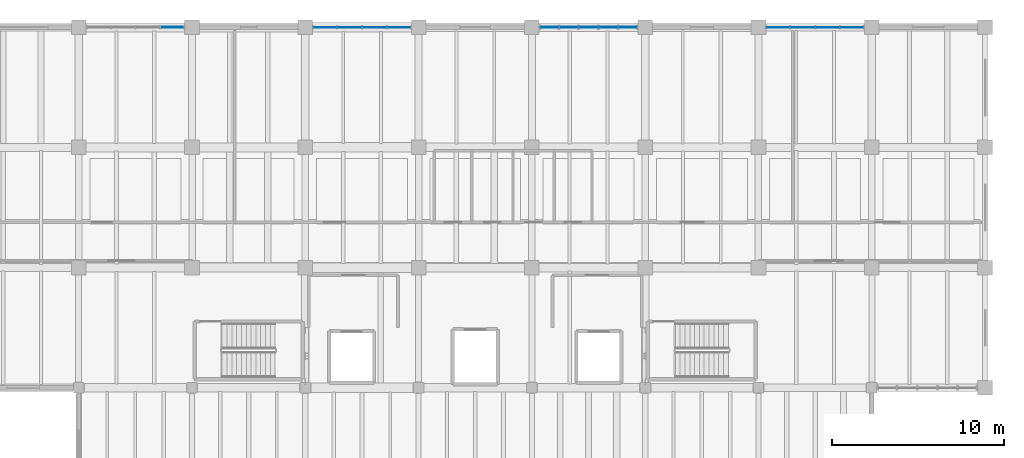
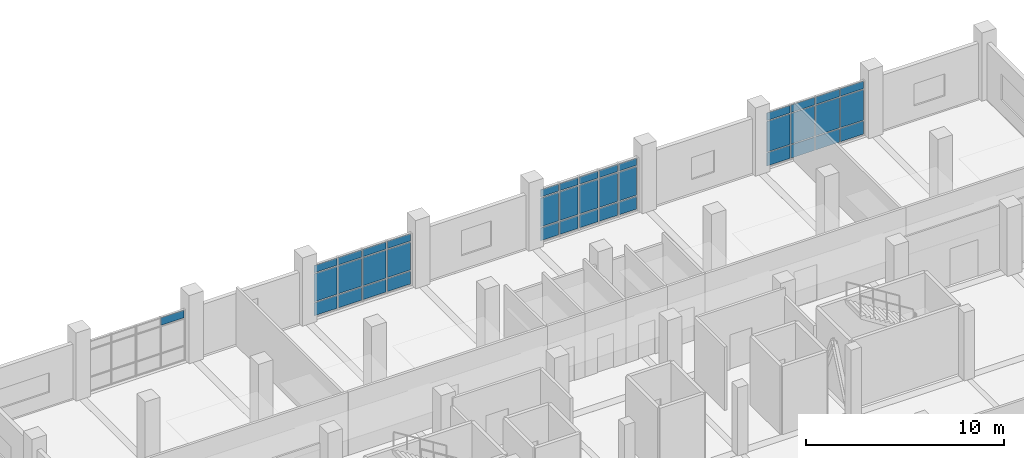
# One storey, part 40 of 68: 40 plates, 4 elements without a shape of their own.
"""IFC4 building model written with IfcOpenShell, lengths in metres."""

from ifc_helpers import new_model, si_unit, direction, frame, origin, origin_2d, place, context, subcontext, project, spatial, rectangle, extrude, material, layer, layer_set, type_object, element, aggregate, save


model = new_model("IFC4")

# Units and contexts
model_context = context("Model", 3, precision=1e-05, world=origin(), true_north=direction((0.0, 1.0)))
body_context = subcontext(model_context, "Body", "Model", "MODEL_VIEW")
ifc_project = project(units=[si_unit("LENGTHUNIT", "METRE"), si_unit("AREAUNIT", "SQUARE_METRE"), si_unit("VOLUMEUNIT", "CUBIC_METRE"), si_unit("PLANEANGLEUNIT", "RADIAN"), si_unit("MASSUNIT", "GRAM", prefix="KILO")], contexts=[model_context])

# Site, building, storey
site_placement = place(None, origin())
site = spatial("IfcSite", under=ifc_project, at=site_placement, CompositionType="ELEMENT")
building_placement = place(site_placement, origin())
building = spatial("IfcBuilding", under=site, at=building_placement, Name="Ciguamira Faculty of Natural Sciences", CompositionType="ELEMENT")
storey_placement = place(building_placement, frame((0.0, 0.0, 4.199951171875)))
storey = spatial("IfcBuildingStorey", under=building, at=storey_placement, Name="L01", CompositionType="ELEMENT", Elevation=4.199951171875)

# Curtain wall, plates
ifc_material_1 = material(Name="Anodized aluminium curtain wall", Category="aluminium")
curtain_wall_type_1 = type_object("IfcCurtainWallType", Name="CurtainWall_CW-11", PredefinedType="USERDEFINED", material=ifc_material_1)
curtain_wall_1_placement = place(storey_placement, origin())
curtain_wall_1 = element("IfcCurtainWall", 1, at=curtain_wall_1_placement, inside=storey, type_object=curtain_wall_type_1, Name="L01 unitised curtain wall 0047", ObjectType="UNITISED CURTAIN WALL", PredefinedType="USERDEFINED")
ifc_material_2 = material(Name="Low-E laminated solar glass", Category="glass")
ifc_layer_1 = layer(ifc_material_2, 0.028076171875, Name="Low-E laminated solar glass")
ifc_layer_set_1 = layer_set([ifc_layer_1], Name="Low-E laminated solar glass")
plate_type_1 = type_object("IfcPlateType", Name="CWPanel_CWP-01", PredefinedType="CURTAIN_PANEL", material=ifc_layer_set_1)
plate_1_placement = place(storey_placement, frame((78.26123046875, 115.0, 0.070068359375), z_axis=(0.0, 0.0, 1.0), x_axis=(1.0, 0.0, 0.0)))
plate_1 = element("IfcPlate", 2, at=plate_1_placement, type_object=plate_type_1, Name="CW-11 panel 1.1", PredefinedType="CURTAIN_PANEL", context=body_context, shape_type="SweptSolid", body=[
    extrude(rectangle(XDim=1.33251953125, YDim=0.028076171875, at=origin_2d()), origin(), (0.0, 0.0, 1.0), 0.794921875),
])
plate_2_placement = place(storey_placement, frame((78.26123046875, 115.0, 0.93505859375), z_axis=(0.0, 0.0, 1.0), x_axis=(1.0, 0.0, 0.0)))
plate_2 = element("IfcPlate", 3, at=plate_2_placement, type_object=plate_type_1, Name="CW-11 panel 1.2", PredefinedType="CURTAIN_PANEL", context=body_context, shape_type="SweptSolid", body=[
    extrude(rectangle(XDim=1.33251953125, YDim=0.028076171875, at=origin_2d()), origin(), (0.0, 0.0, 1.0), 1.715087890625),
])
plate_3_placement = place(storey_placement, frame((78.26123046875, 115.0, 2.72021484375), z_axis=(0.0, 0.0, 1.0), x_axis=(1.0, 0.0, 0.0)))
plate_3 = element("IfcPlate", 4, at=plate_3_placement, type_object=plate_type_1, Name="CW-11 panel 1.3", PredefinedType="CURTAIN_PANEL", context=body_context, shape_type="SweptSolid", body=[
    extrude(rectangle(XDim=1.33251953125, YDim=0.028076171875, at=origin_2d()), origin(), (0.0, 0.0, 1.0), 0.445068359375),
])
plate_4_placement = place(storey_placement, frame((79.68115234375, 115.0, 0.070068359375), z_axis=(0.0, 0.0, 1.0), x_axis=(1.0, 0.0, 0.0)))
plate_4 = element("IfcPlate", 5, at=plate_4_placement, type_object=plate_type_1, Name="CW-11 panel 2.1", PredefinedType="CURTAIN_PANEL", context=body_context, shape_type="SweptSolid", body=[
    extrude(rectangle(XDim=1.367431640625, YDim=0.028076171875, at=origin_2d()), origin(), (0.0, 0.0, 1.0), 0.794921875),
])
plate_5_placement = place(storey_placement, frame((79.68115234375, 115.0, 0.93505859375), z_axis=(0.0, 0.0, 1.0), x_axis=(1.0, 0.0, 0.0)))
plate_5 = element("IfcPlate", 6, at=plate_5_placement, type_object=plate_type_1, Name="CW-11 panel 2.2", PredefinedType="CURTAIN_PANEL", context=body_context, shape_type="SweptSolid", body=[
    extrude(rectangle(XDim=1.367431640625, YDim=0.028076171875, at=origin_2d()), origin(), (0.0, 0.0, 1.0), 1.715087890625),
])
plate_6_placement = place(storey_placement, frame((79.68115234375, 115.0, 2.72021484375), z_axis=(0.0, 0.0, 1.0), x_axis=(1.0, 0.0, 0.0)))
plate_6 = element("IfcPlate", 7, at=plate_6_placement, type_object=plate_type_1, Name="CW-11 panel 2.3", PredefinedType="CURTAIN_PANEL", context=body_context, shape_type="SweptSolid", body=[
    extrude(rectangle(XDim=1.367431640625, YDim=0.028076171875, at=origin_2d()), origin(), (0.0, 0.0, 1.0), 0.445068359375),
])
plate_7_placement = place(storey_placement, frame((81.11865234375, 115.0, 0.070068359375), z_axis=(0.0, 0.0, 1.0), x_axis=(1.0, 0.0, 0.0)))
plate_7 = element("IfcPlate", 8, at=plate_7_placement, type_object=plate_type_1, Name="CW-11 panel 3.1", PredefinedType="CURTAIN_PANEL", context=body_context, shape_type="SweptSolid", body=[
    extrude(rectangle(XDim=1.367431640625, YDim=0.028076171875, at=origin_2d()), origin(), (0.0, 0.0, 1.0), 0.794921875),
])
plate_8_placement = place(storey_placement, frame((81.11865234375, 115.0, 0.93505859375), z_axis=(0.0, 0.0, 1.0), x_axis=(1.0, 0.0, 0.0)))
plate_8 = element("IfcPlate", 9, at=plate_8_placement, type_object=plate_type_1, Name="CW-11 panel 3.2", PredefinedType="CURTAIN_PANEL", context=body_context, shape_type="SweptSolid", body=[
    extrude(rectangle(XDim=1.367431640625, YDim=0.028076171875, at=origin_2d()), origin(), (0.0, 0.0, 1.0), 1.715087890625),
])
plate_9_placement = place(storey_placement, frame((81.11865234375, 115.0, 2.72021484375), z_axis=(0.0, 0.0, 1.0), x_axis=(1.0, 0.0, 0.0)))
plate_9 = element("IfcPlate", 10, at=plate_9_placement, type_object=plate_type_1, Name="CW-11 panel 3.3", PredefinedType="CURTAIN_PANEL", context=body_context, shape_type="SweptSolid", body=[
    extrude(rectangle(XDim=1.367431640625, YDim=0.028076171875, at=origin_2d()), origin(), (0.0, 0.0, 1.0), 0.445068359375),
])
plate_10_placement = place(storey_placement, frame((82.538818359375, 115.0, 0.070068359375), z_axis=(0.0, 0.0, 1.0), x_axis=(1.0, 0.0, 0.0)))
plate_10 = element("IfcPlate", 11, at=plate_10_placement, type_object=plate_type_1, Name="CW-11 panel 4.1", PredefinedType="CURTAIN_PANEL", context=body_context, shape_type="SweptSolid", body=[
    extrude(rectangle(XDim=1.33251953125, YDim=0.028076171875, at=origin_2d()), origin(), (0.0, 0.0, 1.0), 0.794921875),
])
plate_11_placement = place(storey_placement, frame((82.538818359375, 115.0, 0.93505859375), z_axis=(0.0, 0.0, 1.0), x_axis=(1.0, 0.0, 0.0)))
plate_11 = element("IfcPlate", 12, at=plate_11_placement, type_object=plate_type_1, Name="CW-11 panel 4.2", PredefinedType="CURTAIN_PANEL", context=body_context, shape_type="SweptSolid", body=[
    extrude(rectangle(XDim=1.33251953125, YDim=0.028076171875, at=origin_2d()), origin(), (0.0, 0.0, 1.0), 1.715087890625),
])
plate_12_placement = place(storey_placement, frame((82.538818359375, 115.0, 2.72021484375), z_axis=(0.0, 0.0, 1.0), x_axis=(1.0, 0.0, 0.0)))
plate_12 = element("IfcPlate", 13, at=plate_12_placement, type_object=plate_type_1, Name="CW-11 panel 4.3", PredefinedType="CURTAIN_PANEL", context=body_context, shape_type="SweptSolid", body=[
    extrude(rectangle(XDim=1.33251953125, YDim=0.028076171875, at=origin_2d()), origin(), (0.0, 0.0, 1.0), 0.445068359375),
])
aggregate(curtain_wall_1, [plate_1, plate_2, plate_3, plate_4, plate_5, plate_6, plate_7, plate_8, plate_9, plate_10, plate_11, plate_12])

curtain_wall_type_2 = type_object("IfcCurtainWallType", Name="CurtainWall_CW-01", PredefinedType="USERDEFINED", material=ifc_material_1)
curtain_wall_2_placement = place(storey_placement, origin())
curtain_wall_2 = element("IfcCurtainWall", 14, at=curtain_wall_2_placement, inside=storey, type_object=curtain_wall_type_2, Name="L01 unitised curtain wall 0049", ObjectType="UNITISED CURTAIN WALL", PredefinedType="USERDEFINED")
plate_13_placement = place(storey_placement, frame((104.65869140625, 115.0, 0.06005859375), z_axis=(0.0, 0.0, 1.0), x_axis=(1.0, 0.0, 0.0)))
plate_13 = element("IfcPlate", 15, at=plate_13_placement, type_object=plate_type_1, Name="CW-01 panel 1.1", PredefinedType="CURTAIN_PANEL", context=body_context, shape_type="SweptSolid", body=[
    extrude(rectangle(XDim=1.347412109375, YDim=0.028076171875, at=origin_2d()), origin(), (0.0, 0.0, 1.0), 0.81005859375),
])
plate_14_placement = place(storey_placement, frame((104.65869140625, 115.0, 0.929931640625), z_axis=(0.0, 0.0, 1.0), x_axis=(1.0, 0.0, 0.0)))
plate_14 = element("IfcPlate", 16, at=plate_14_placement, type_object=plate_type_1, Name="CW-01 panel 1.2", PredefinedType="CURTAIN_PANEL", context=body_context, shape_type="SweptSolid", body=[
    extrude(rectangle(XDim=1.347412109375, YDim=0.028076171875, at=origin_2d()), origin(), (0.0, 0.0, 1.0), 1.875),
])
plate_15_placement = place(storey_placement, frame((104.65869140625, 115.0, 2.864990234375), z_axis=(0.0, 0.0, 1.0), x_axis=(1.0, 0.0, 0.0)))
plate_15 = element("IfcPlate", 17, at=plate_15_placement, type_object=plate_type_1, Name="CW-01 panel 1.3", PredefinedType="CURTAIN_PANEL", context=body_context, shape_type="SweptSolid", body=[
    extrude(rectangle(XDim=1.347412109375, YDim=0.028076171875, at=origin_2d()), origin(), (0.0, 0.0, 1.0), 0.4599609375),
])
plate_16_placement = place(storey_placement, frame((106.081298828125, 115.0, 0.06005859375), z_axis=(0.0, 0.0, 1.0), x_axis=(1.0, 0.0, 0.0)))
plate_16 = element("IfcPlate", 18, at=plate_16_placement, type_object=plate_type_1, Name="CW-01 panel 2.1", PredefinedType="CURTAIN_PANEL", context=body_context, shape_type="SweptSolid", body=[
    extrude(rectangle(XDim=1.37744140625, YDim=0.028076171875, at=origin_2d()), origin(), (0.0, 0.0, 1.0), 0.81005859375),
])
plate_17_placement = place(storey_placement, frame((106.081298828125, 115.0, 0.929931640625), z_axis=(0.0, 0.0, 1.0), x_axis=(1.0, 0.0, 0.0)))
plate_17 = element("IfcPlate", 19, at=plate_17_placement, type_object=plate_type_1, Name="CW-01 panel 2.2", PredefinedType="CURTAIN_PANEL", context=body_context, shape_type="SweptSolid", body=[
    extrude(rectangle(XDim=1.37744140625, YDim=0.028076171875, at=origin_2d()), origin(), (0.0, 0.0, 1.0), 1.875),
])
plate_18_placement = place(storey_placement, frame((106.081298828125, 115.0, 2.864990234375), z_axis=(0.0, 0.0, 1.0), x_axis=(1.0, 0.0, 0.0)))
plate_18 = element("IfcPlate", 20, at=plate_18_placement, type_object=plate_type_1, Name="CW-01 panel 2.3", PredefinedType="CURTAIN_PANEL", context=body_context, shape_type="SweptSolid", body=[
    extrude(rectangle(XDim=1.37744140625, YDim=0.028076171875, at=origin_2d()), origin(), (0.0, 0.0, 1.0), 0.4599609375),
])
plate_19_placement = place(storey_placement, frame((107.518798828125, 115.0, 0.06005859375), z_axis=(0.0, 0.0, 1.0), x_axis=(1.0, 0.0, 0.0)))
plate_19 = element("IfcPlate", 21, at=plate_19_placement, type_object=plate_type_1, Name="CW-01 panel 3.1", PredefinedType="CURTAIN_PANEL", context=body_context, shape_type="SweptSolid", body=[
    extrude(rectangle(XDim=1.37744140625, YDim=0.028076171875, at=origin_2d()), origin(), (0.0, 0.0, 1.0), 0.81005859375),
])
plate_20_placement = place(storey_placement, frame((107.518798828125, 115.0, 0.929931640625), z_axis=(0.0, 0.0, 1.0), x_axis=(1.0, 0.0, 0.0)))
plate_20 = element("IfcPlate", 22, at=plate_20_placement, type_object=plate_type_1, Name="CW-01 panel 3.2", PredefinedType="CURTAIN_PANEL", context=body_context, shape_type="SweptSolid", body=[
    extrude(rectangle(XDim=1.37744140625, YDim=0.028076171875, at=origin_2d()), origin(), (0.0, 0.0, 1.0), 1.875),
])
plate_21_placement = place(storey_placement, frame((107.518798828125, 115.0, 2.864990234375), z_axis=(0.0, 0.0, 1.0), x_axis=(1.0, 0.0, 0.0)))
plate_21 = element("IfcPlate", 23, at=plate_21_placement, type_object=plate_type_1, Name="CW-01 panel 3.3", PredefinedType="CURTAIN_PANEL", context=body_context, shape_type="SweptSolid", body=[
    extrude(rectangle(XDim=1.37744140625, YDim=0.028076171875, at=origin_2d()), origin(), (0.0, 0.0, 1.0), 0.4599609375),
])
plate_22_placement = place(storey_placement, frame((108.941162109375, 115.0, 0.06005859375), z_axis=(0.0, 0.0, 1.0), x_axis=(1.0, 0.0, 0.0)))
plate_22 = element("IfcPlate", 24, at=plate_22_placement, type_object=plate_type_1, Name="CW-01 panel 4.1", PredefinedType="CURTAIN_PANEL", context=body_context, shape_type="SweptSolid", body=[
    extrude(rectangle(XDim=1.347412109375, YDim=0.028076171875, at=origin_2d()), origin(), (0.0, 0.0, 1.0), 0.81005859375),
])
plate_23_placement = place(storey_placement, frame((108.941162109375, 115.0, 0.929931640625), z_axis=(0.0, 0.0, 1.0), x_axis=(1.0, 0.0, 0.0)))
plate_23 = element("IfcPlate", 25, at=plate_23_placement, type_object=plate_type_1, Name="CW-01 panel 4.2", PredefinedType="CURTAIN_PANEL", context=body_context, shape_type="SweptSolid", body=[
    extrude(rectangle(XDim=1.347412109375, YDim=0.028076171875, at=origin_2d()), origin(), (0.0, 0.0, 1.0), 1.875),
])
plate_24_placement = place(storey_placement, frame((108.941162109375, 115.0, 2.864990234375), z_axis=(0.0, 0.0, 1.0), x_axis=(1.0, 0.0, 0.0)))
plate_24 = element("IfcPlate", 26, at=plate_24_placement, type_object=plate_type_1, Name="CW-01 panel 4.3", PredefinedType="CURTAIN_PANEL", context=body_context, shape_type="SweptSolid", body=[
    extrude(rectangle(XDim=1.347412109375, YDim=0.028076171875, at=origin_2d()), origin(), (0.0, 0.0, 1.0), 0.4599609375),
])
aggregate(curtain_wall_2, [plate_13, plate_14, plate_15, plate_16, plate_17, plate_18, plate_19, plate_20, plate_21, plate_22, plate_23, plate_24])

# Curtain wall, plate
curtain_wall_type_3 = type_object("IfcCurtainWallType", Name="CurtainWall_CW-10", PredefinedType="USERDEFINED", material=ifc_material_1)
curtain_wall_3_placement = place(storey_placement, origin())
curtain_wall_3 = element("IfcCurtainWall", 27, at=curtain_wall_3_placement, inside=storey, type_object=curtain_wall_type_3, Name="L01 unitised curtain wall 0046", ObjectType="UNITISED CURTAIN WALL", PredefinedType="USERDEFINED")
ifc_layer_2 = layer(ifc_material_2, 0.035888671875, Name="Low-E laminated solar glass")
ifc_layer_set_2 = layer_set([ifc_layer_2], Name="Low-E laminated solar glass")
plate_type_2 = type_object("IfcPlateType", Name="CWPanel_CWP-02", PredefinedType="CURTAIN_PANEL", material=ifc_layer_set_2)
plate_25_placement = place(storey_placement, frame((69.34130859375, 115.0, 2.614990234375), z_axis=(0.0, 0.0, 1.0), x_axis=(1.0, 0.0, 0.0)))
plate_25 = element("IfcPlate", 28, at=plate_25_placement, type_object=plate_type_2, Name="CW-10 panel 4.3", PredefinedType="CURTAIN_PANEL", context=body_context, shape_type="SweptSolid", body=[
    extrude(rectangle(XDim=1.347412109375, YDim=0.035888671875, at=origin_2d()), origin(), (0.0, 0.0, 1.0), 0.4599609375),
])
aggregate(curtain_wall_3, [plate_25])

# Curtain wall, plates
curtain_wall_type_4 = type_object("IfcCurtainWallType", Name="CurtainWall_CW-12", PredefinedType="USERDEFINED", material=ifc_material_1)
curtain_wall_4_placement = place(storey_placement, origin())
curtain_wall_4 = element("IfcCurtainWall", 29, at=curtain_wall_4_placement, inside=storey, type_object=curtain_wall_type_4, Name="L01 unitised curtain wall 0048", ObjectType="UNITISED CURTAIN WALL", PredefinedType="USERDEFINED")
plate_26_placement = place(storey_placement, frame((91.320068359375, 115.0, 0.080078125), z_axis=(0.0, 0.0, 1.0), x_axis=(1.0, 0.0, 0.0)))
plate_26 = element("IfcPlate", 30, at=plate_26_placement, type_object=plate_type_2, Name="CW-12 panel 1.1", PredefinedType="CURTAIN_PANEL", context=body_context, shape_type="SweptSolid", body=[
    extrude(rectangle(XDim=1.030029296875, YDim=0.035888671875, at=origin_2d()), origin(), (0.0, 0.0, 1.0), 0.780029296875),
])
plate_27_placement = place(storey_placement, frame((91.320068359375, 115.0, 0.940185546875), z_axis=(0.0, 0.0, 1.0), x_axis=(1.0, 0.0, 0.0)))
plate_27 = element("IfcPlate", 31, at=plate_27_placement, type_object=plate_type_2, Name="CW-12 panel 1.2", PredefinedType="CURTAIN_PANEL", context=body_context, shape_type="SweptSolid", body=[
    extrude(rectangle(XDim=1.030029296875, YDim=0.035888671875, at=origin_2d()), origin(), (0.0, 0.0, 1.0), 1.7548828125),
])
plate_28_placement = place(storey_placement, frame((91.320068359375, 115.0, 2.77490234375), z_axis=(0.0, 0.0, 1.0), x_axis=(1.0, 0.0, 0.0)))
plate_28 = element("IfcPlate", 32, at=plate_28_placement, type_object=plate_type_2, Name="CW-12 panel 1.3", PredefinedType="CURTAIN_PANEL", context=body_context, shape_type="SweptSolid", body=[
    extrude(rectangle(XDim=1.030029296875, YDim=0.035888671875, at=origin_2d()), origin(), (0.0, 0.0, 1.0), 0.429931640625),
])
plate_29_placement = place(storey_placement, frame((92.449951171875, 115.0, 0.080078125), z_axis=(0.0, 0.0, 1.0), x_axis=(1.0, 0.0, 0.0)))
plate_29 = element("IfcPlate", 33, at=plate_29_placement, type_object=plate_type_2, Name="CW-12 panel 2.1", PredefinedType="CURTAIN_PANEL", context=body_context, shape_type="SweptSolid", body=[
    extrude(rectangle(XDim=1.070068359375, YDim=0.035888671875, at=origin_2d()), origin(), (0.0, 0.0, 1.0), 0.780029296875),
])
plate_30_placement = place(storey_placement, frame((92.449951171875, 115.0, 0.940185546875), z_axis=(0.0, 0.0, 1.0), x_axis=(1.0, 0.0, 0.0)))
plate_30 = element("IfcPlate", 34, at=plate_30_placement, type_object=plate_type_2, Name="CW-12 panel 2.2", PredefinedType="CURTAIN_PANEL", context=body_context, shape_type="SweptSolid", body=[
    extrude(rectangle(XDim=1.070068359375, YDim=0.035888671875, at=origin_2d()), origin(), (0.0, 0.0, 1.0), 1.7548828125),
])
plate_31_placement = place(storey_placement, frame((92.449951171875, 115.0, 2.77490234375), z_axis=(0.0, 0.0, 1.0), x_axis=(1.0, 0.0, 0.0)))
plate_31 = element("IfcPlate", 35, at=plate_31_placement, type_object=plate_type_2, Name="CW-12 panel 2.3", PredefinedType="CURTAIN_PANEL", context=body_context, shape_type="SweptSolid", body=[
    extrude(rectangle(XDim=1.070068359375, YDim=0.035888671875, at=origin_2d()), origin(), (0.0, 0.0, 1.0), 0.429931640625),
])
plate_32_placement = place(storey_placement, frame((93.60009765625, 115.0, 0.080078125), z_axis=(0.0, 0.0, 1.0), x_axis=(1.0, 0.0, 0.0)))
plate_32 = element("IfcPlate", 36, at=plate_32_placement, type_object=plate_type_2, Name="CW-12 panel 3.1", PredefinedType="CURTAIN_PANEL", context=body_context, shape_type="SweptSolid", body=[
    extrude(rectangle(XDim=1.070068359375, YDim=0.035888671875, at=origin_2d()), origin(), (0.0, 0.0, 1.0), 0.780029296875),
])
plate_33_placement = place(storey_placement, frame((93.60009765625, 115.0, 0.940185546875), z_axis=(0.0, 0.0, 1.0), x_axis=(1.0, 0.0, 0.0)))
plate_33 = element("IfcPlate", 37, at=plate_33_placement, type_object=plate_type_2, Name="CW-12 panel 3.2", PredefinedType="CURTAIN_PANEL", context=body_context, shape_type="SweptSolid", body=[
    extrude(rectangle(XDim=1.070068359375, YDim=0.035888671875, at=origin_2d()), origin(), (0.0, 0.0, 1.0), 1.7548828125),
])
plate_34_placement = place(storey_placement, frame((93.60009765625, 115.0, 2.77490234375), z_axis=(0.0, 0.0, 1.0), x_axis=(1.0, 0.0, 0.0)))
plate_34 = element("IfcPlate", 38, at=plate_34_placement, type_object=plate_type_2, Name="CW-12 panel 3.3", PredefinedType="CURTAIN_PANEL", context=body_context, shape_type="SweptSolid", body=[
    extrude(rectangle(XDim=1.070068359375, YDim=0.035888671875, at=origin_2d()), origin(), (0.0, 0.0, 1.0), 0.429931640625),
])
plate_35_placement = place(storey_placement, frame((94.75, 115.0, 0.080078125), z_axis=(0.0, 0.0, 1.0), x_axis=(1.0, 0.0, 0.0)))
plate_35 = element("IfcPlate", 39, at=plate_35_placement, type_object=plate_type_2, Name="CW-12 panel 4.1", PredefinedType="CURTAIN_PANEL", context=body_context, shape_type="SweptSolid", body=[
    extrude(rectangle(XDim=1.070068359375, YDim=0.035888671875, at=origin_2d()), origin(), (0.0, 0.0, 1.0), 0.780029296875),
])
plate_36_placement = place(storey_placement, frame((94.75, 115.0, 0.940185546875), z_axis=(0.0, 0.0, 1.0), x_axis=(1.0, 0.0, 0.0)))
plate_36 = element("IfcPlate", 40, at=plate_36_placement, type_object=plate_type_2, Name="CW-12 panel 4.2", PredefinedType="CURTAIN_PANEL", context=body_context, shape_type="SweptSolid", body=[
    extrude(rectangle(XDim=1.070068359375, YDim=0.035888671875, at=origin_2d()), origin(), (0.0, 0.0, 1.0), 1.7548828125),
])
plate_37_placement = place(storey_placement, frame((94.75, 115.0, 2.77490234375), z_axis=(0.0, 0.0, 1.0), x_axis=(1.0, 0.0, 0.0)))
plate_37 = element("IfcPlate", 41, at=plate_37_placement, type_object=plate_type_2, Name="CW-12 panel 4.3", PredefinedType="CURTAIN_PANEL", context=body_context, shape_type="SweptSolid", body=[
    extrude(rectangle(XDim=1.070068359375, YDim=0.035888671875, at=origin_2d()), origin(), (0.0, 0.0, 1.0), 0.429931640625),
])
plate_38_placement = place(storey_placement, frame((95.8798828125, 115.0, 0.080078125), z_axis=(0.0, 0.0, 1.0), x_axis=(1.0, 0.0, 0.0)))
plate_38 = element("IfcPlate", 42, at=plate_38_placement, type_object=plate_type_2, Name="CW-12 panel 5.1", PredefinedType="CURTAIN_PANEL", context=body_context, shape_type="SweptSolid", body=[
    extrude(rectangle(XDim=1.030029296875, YDim=0.035888671875, at=origin_2d()), origin(), (0.0, 0.0, 1.0), 0.780029296875),
])
plate_39_placement = place(storey_placement, frame((95.8798828125, 115.0, 0.940185546875), z_axis=(0.0, 0.0, 1.0), x_axis=(1.0, 0.0, 0.0)))
plate_39 = element("IfcPlate", 43, at=plate_39_placement, type_object=plate_type_2, Name="CW-12 panel 5.2", PredefinedType="CURTAIN_PANEL", context=body_context, shape_type="SweptSolid", body=[
    extrude(rectangle(XDim=1.030029296875, YDim=0.035888671875, at=origin_2d()), origin(), (0.0, 0.0, 1.0), 1.7548828125),
])
plate_40_placement = place(storey_placement, frame((95.8798828125, 115.0, 2.77490234375), z_axis=(0.0, 0.0, 1.0), x_axis=(1.0, 0.0, 0.0)))
plate_40 = element("IfcPlate", 44, at=plate_40_placement, type_object=plate_type_2, Name="CW-12 panel 5.3", PredefinedType="CURTAIN_PANEL", context=body_context, shape_type="SweptSolid", body=[
    extrude(rectangle(XDim=1.030029296875, YDim=0.035888671875, at=origin_2d()), origin(), (0.0, 0.0, 1.0), 0.429931640625),
])
aggregate(curtain_wall_4, [plate_26, plate_27, plate_28, plate_29, plate_30, plate_31, plate_32, plate_33, plate_34, plate_35, plate_36, plate_37, plate_38, plate_39, plate_40])

save(model, "model.ifc")
